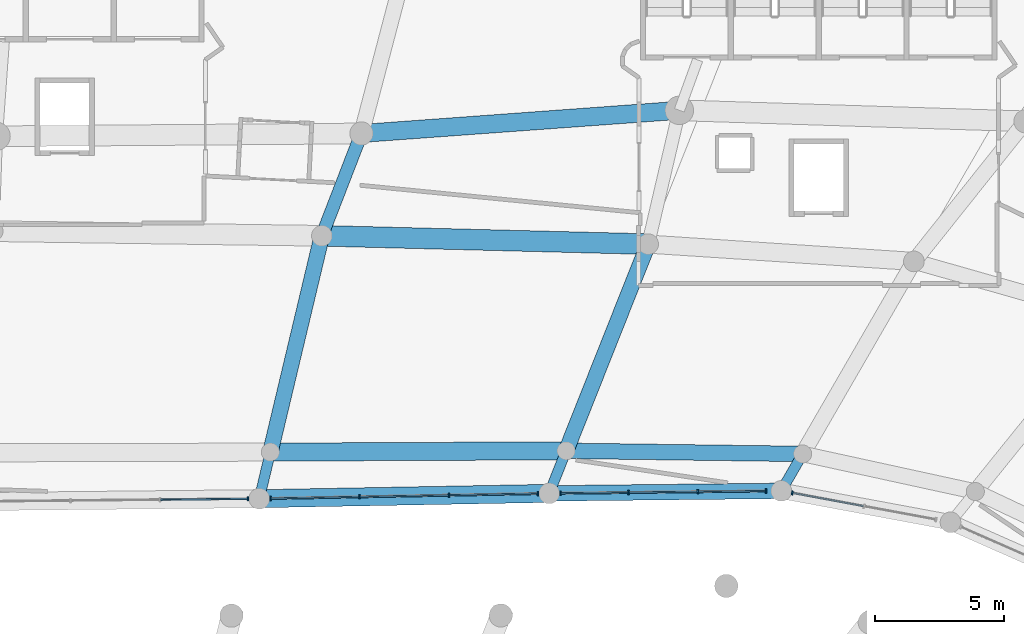
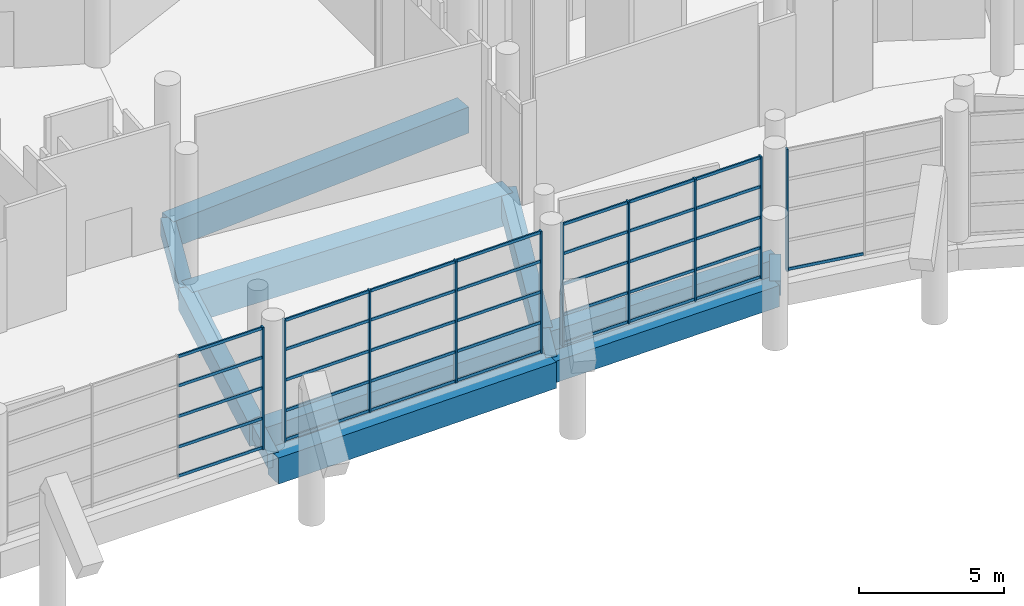
# One storey, part 103 of 271: 46 members, 12 beams, 4 elements without a shape of their own.
"""IFC4 building model written with IfcOpenShell, lengths in metres."""

from ifc_helpers import new_model, si_unit, direction, frame, origin, origin_2d, place, context, subcontext, project, spatial, rectangle, extrude, material, layer, layer_set, material_profile, profile_set, type_object, element, aggregate, save


model = new_model("IFC4")

# Units and contexts
model_context = context("Model", 3, precision=1e-05, world=origin(), true_north=direction((0.0, 1.0)))
body_context = subcontext(model_context, "Body", "Model", "MODEL_VIEW")
ifc_project = project(units=[si_unit("LENGTHUNIT", "METRE"), si_unit("AREAUNIT", "SQUARE_METRE"), si_unit("VOLUMEUNIT", "CUBIC_METRE"), si_unit("PLANEANGLEUNIT", "RADIAN"), si_unit("MASSUNIT", "GRAM", prefix="KILO")], contexts=[model_context])

# Site, building, storey
site_placement = place(None, origin())
site = spatial("IfcSite", under=ifc_project, at=site_placement, CompositionType="ELEMENT")
building_placement = place(site_placement, origin())
building = spatial("IfcBuilding", under=site, at=building_placement, Name="Meseta Stadium", CompositionType="ELEMENT")
storey_placement = place(building_placement, frame((0.0, 0.0, 6.5)))
storey = spatial("IfcBuildingStorey", under=building, at=storey_placement, Name="L01", CompositionType="ELEMENT", Elevation=6.5)

# Curtain wall, member
ifc_material_1 = material(Name="Aluminium", Category="aluminium")
ifc_layer = layer(ifc_material_1, 0.199951171875)
ifc_layer_set = layer_set([ifc_layer], Name="Club glazing curtain wall")
curtain_wall_type = type_object("IfcCurtainWallType", Name="Club glazing curtain wall", PredefinedType="NOTDEFINED", material=ifc_layer_set)
curtain_wall_1_placement = place(storey_placement, origin())
curtain_wall_1 = element("IfcCurtainWall", 1, at=curtain_wall_1_placement, inside=storey, type_object=curtain_wall_type, Name="Club glazing bay 14", PredefinedType="NOTDEFINED")
ifc_material_2 = material(Name="Aluminium", Category="aluminium")
ifc_material_profile_1 = material_profile(ifc_material_2, rectangle(XDim=0.159912109375, YDim=0.06005859375, at=origin_2d()), Name="CW 160x60")
ifc_profile_set_1 = profile_set([ifc_material_profile_1], Name="Aluminium")
member_type_1 = type_object("IfcMemberType", Name="CW mullion 60x160", PredefinedType="MULLION", material=ifc_profile_set_1)
member_1_placement = place(storey_placement, frame((37.308349609375, 75.75439453125, 0.0), z_axis=(0.0, 0.0, 1.0), x_axis=(-0.182600324962, -0.983187225977, 0.0)))
member_1 = element("IfcMember", 2, at=member_1_placement, type_object=member_type_1, Name="CWC mullion 3", PredefinedType="MULLION", context=body_context, shape_type="SweptSolid", body=[
    extrude(rectangle(XDim=0.159912109375, YDim=0.06005859375, at=origin_2d()), origin(), (0.0, 0.0, 1.0), 5.14990234375),
])

# Curtain wall, members
curtain_wall_2_placement = place(storey_placement, origin())
curtain_wall_2 = element("IfcCurtainWall", 3, at=curtain_wall_2_placement, inside=storey, type_object=curtain_wall_type, Name="Club glazing bay 15", PredefinedType="NOTDEFINED")
member_2_placement = place(storey_placement, frame((36.29931640625, 75.82666015625, 0.0), z_axis=(0.0, 0.0, 1.0), x_axis=(0.010842515481, -0.999941218201, 0.0)))
member_2 = element("IfcMember", 4, at=member_2_placement, type_object=member_type_1, Name="CWC mullion 1", PredefinedType="MULLION", context=body_context, shape_type="SweptSolid", body=[
    extrude(rectangle(XDim=0.159912109375, YDim=0.06005859375, at=origin_2d()), origin(), (0.0, 0.0, 1.0), 5.14990234375),
])
member_3_placement = place(storey_placement, frame((33.656494140625, 75.7978515625, 0.0), z_axis=(0.0, 0.0, 1.0), x_axis=(0.010842515481, -0.999941218201, 0.0)))
member_3 = element("IfcMember", 5, at=member_3_placement, type_object=member_type_1, Name="CWC mullion 2", PredefinedType="MULLION", context=body_context, shape_type="SweptSolid", body=[
    extrude(rectangle(XDim=0.159912109375, YDim=0.06005859375, at=origin_2d()), origin(), (0.0, 0.0, 1.0), 5.14990234375),
])
member_4_placement = place(storey_placement, frame((30.983642578125, 75.76904296875, 0.0), z_axis=(0.0, 0.0, 1.0), x_axis=(0.010842515481, -0.999941218201, 0.0)))
member_4 = element("IfcMember", 6, at=member_4_placement, type_object=member_type_1, Name="CWC mullion 3", PredefinedType="MULLION", context=body_context, shape_type="SweptSolid", body=[
    extrude(rectangle(XDim=0.159912109375, YDim=0.06005859375, at=origin_2d()), origin(), (0.0, 0.0, 1.0), 5.14990234375),
])
member_5_placement = place(storey_placement, frame((28.3408203125, 75.740234375, 0.0), z_axis=(0.0, 0.0, 1.0), x_axis=(0.010842515481, -0.999941218201, 0.0)))
member_5 = element("IfcMember", 7, at=member_5_placement, type_object=member_type_1, Name="CWC mullion 4", PredefinedType="MULLION", context=body_context, shape_type="SweptSolid", body=[
    extrude(rectangle(XDim=0.159912109375, YDim=0.06005859375, at=origin_2d()), origin(), (0.0, 0.0, 1.0), 5.14990234375),
])

curtain_wall_3_placement = place(storey_placement, origin())
curtain_wall_3 = element("IfcCurtainWall", 8, at=curtain_wall_3_placement, inside=storey, type_object=curtain_wall_type, Name="Club glazing bay 16", PredefinedType="NOTDEFINED")
member_6_placement = place(storey_placement, frame((27.4814453125, 75.727783203125, 0.0), z_axis=(0.0, 0.0, 1.0), x_axis=(0.018383858671, -0.99983100259, 0.0)))
member_6 = element("IfcMember", 9, at=member_6_placement, type_object=member_type_1, Name="CWC mullion 1", PredefinedType="MULLION", context=body_context, shape_type="SweptSolid", body=[
    extrude(rectangle(XDim=0.159912109375, YDim=0.06005859375, at=origin_2d()), origin(), (0.0, 0.0, 1.0), 5.14990234375),
])
member_7_placement = place(storey_placement, frame((24.0400390625, 75.66455078125, 0.0), z_axis=(0.0, 0.0, 1.0), x_axis=(0.018383858671, -0.99983100259, 0.0)))
member_7 = element("IfcMember", 10, at=member_7_placement, type_object=member_type_1, Name="CWC mullion 2", PredefinedType="MULLION", context=body_context, shape_type="SweptSolid", body=[
    extrude(rectangle(XDim=0.159912109375, YDim=0.06005859375, at=origin_2d()), origin(), (0.0, 0.0, 1.0), 5.14990234375),
])
member_8_placement = place(storey_placement, frame((20.568603515625, 75.6005859375, 0.0), z_axis=(0.0, 0.0, 1.0), x_axis=(0.018383858671, -0.99983100259, 0.0)))
member_8 = element("IfcMember", 11, at=member_8_placement, type_object=member_type_1, Name="CWC mullion 3", PredefinedType="MULLION", context=body_context, shape_type="SweptSolid", body=[
    extrude(rectangle(XDim=0.159912109375, YDim=0.06005859375, at=origin_2d()), origin(), (0.0, 0.0, 1.0), 5.14990234375),
])
member_9_placement = place(storey_placement, frame((17.127197265625, 75.537353515625, 0.0), z_axis=(0.0, 0.0, 1.0), x_axis=(0.018383858671, -0.99983100259, 0.0)))
member_9 = element("IfcMember", 12, at=member_9_placement, type_object=member_type_1, Name="CWC mullion 4", PredefinedType="MULLION", context=body_context, shape_type="SweptSolid", body=[
    extrude(rectangle(XDim=0.159912109375, YDim=0.06005859375, at=origin_2d()), origin(), (0.0, 0.0, 1.0), 5.14990234375),
])

# Curtain wall, member
curtain_wall_4_placement = place(storey_placement, origin())
curtain_wall_4 = element("IfcCurtainWall", 13, at=curtain_wall_4_placement, inside=storey, type_object=curtain_wall_type, Name="Club glazing bay 17", PredefinedType="NOTDEFINED")
member_10_placement = place(storey_placement, frame((16.267578125, 75.52490234375, 0.0), z_axis=(0.0, 0.0, 1.0), x_axis=(0.010278991253, -0.999947169774, 0.0)))
member_10 = element("IfcMember", 14, at=member_10_placement, type_object=member_type_1, Name="CWC mullion 1", PredefinedType="MULLION", context=body_context, shape_type="SweptSolid", body=[
    extrude(rectangle(XDim=0.159912109375, YDim=0.06005859375, at=origin_2d()), origin(), (0.0, 0.0, 1.0), 5.14990234375),
])

# Member
ifc_material_3 = material(Name="Aluminium", Category="aluminium")
ifc_material_profile_2 = material_profile(ifc_material_3, rectangle(XDim=0.06005859375, YDim=0.1201171875, at=origin_2d()), Name="CW 60x120")
ifc_profile_set_2 = profile_set([ifc_material_profile_2], Name="Aluminium")
member_type_2 = type_object("IfcMemberType", Name="CW transom 60x120", PredefinedType="USERDEFINED", material=ifc_profile_set_2)
member_11_placement = place(storey_placement, frame((40.0576171875, 75.243896484375, 0.06005859375), z_axis=(-0.983186472546, 0.182604381661, 0.0), x_axis=(-0.182604381661, -0.983186472546, 0.0)))
member_11 = element("IfcMember", 15, at=member_11_placement, type_object=member_type_2, Name="CWC transom 2.1", ObjectType="TRANSOM", PredefinedType="USERDEFINED", context=body_context, shape_type="SweptSolid", body=[
    extrude(rectangle(XDim=0.06005859375, YDim=0.1201171875, at=origin_2d()), origin(), (0.0, 0.0, 1.0), 2.766357421875),
])

aggregate(curtain_wall_1, [member_1, member_11])

member_12_placement = place(storey_placement, frame((36.269287109375, 75.826171875, 0.06005859375), z_axis=(-0.999941943259, -0.010775440167, 0.0), x_axis=(0.010775440167, -0.999941943259, 0.0)))
member_12 = element("IfcMember", 16, at=member_12_placement, type_object=member_type_2, Name="CWC transom 1.1", ObjectType="TRANSOM", PredefinedType="USERDEFINED", context=body_context, shape_type="SweptSolid", body=[
    extrude(rectangle(XDim=0.06005859375, YDim=0.1201171875, at=origin_2d()), origin(), (0.0, 0.0, 1.0), 2.5830078125),
])

member_13_placement = place(storey_placement, frame((36.269287109375, 75.826171875, 1.28759765625), z_axis=(-0.999941943259, -0.010775440167, 0.0), x_axis=(0.010775440167, -0.999941943259, 0.0)))
member_13 = element("IfcMember", 17, at=member_13_placement, type_object=member_type_2, Name="CWC transom 1.2", ObjectType="TRANSOM", PredefinedType="USERDEFINED", context=body_context, shape_type="SweptSolid", body=[
    extrude(rectangle(XDim=0.06005859375, YDim=0.1201171875, at=origin_2d()), origin(), (0.0, 0.0, 1.0), 2.5830078125),
])

member_14_placement = place(storey_placement, frame((36.269287109375, 75.826171875, 2.574951171875), z_axis=(-0.999941943259, -0.010775440167, 0.0), x_axis=(0.010775440167, -0.999941943259, 0.0)))
member_14 = element("IfcMember", 18, at=member_14_placement, type_object=member_type_2, Name="CWC transom 1.3", ObjectType="TRANSOM", PredefinedType="USERDEFINED", context=body_context, shape_type="SweptSolid", body=[
    extrude(rectangle(XDim=0.06005859375, YDim=0.1201171875, at=origin_2d()), origin(), (0.0, 0.0, 1.0), 2.5830078125),
])

member_15_placement = place(storey_placement, frame((36.269287109375, 75.826171875, 3.862548828125), z_axis=(-0.999941943259, -0.010775440167, 0.0), x_axis=(0.010775440167, -0.999941943259, 0.0)))
member_15 = element("IfcMember", 19, at=member_15_placement, type_object=member_type_2, Name="CWC transom 1.4", ObjectType="TRANSOM", PredefinedType="USERDEFINED", context=body_context, shape_type="SweptSolid", body=[
    extrude(rectangle(XDim=0.06005859375, YDim=0.1201171875, at=origin_2d()), origin(), (0.0, 0.0, 1.0), 2.5830078125),
])

member_16_placement = place(storey_placement, frame((36.269287109375, 75.826171875, 5.090087890625), z_axis=(-0.999941943259, -0.010775440167, 0.0), x_axis=(0.010775440167, -0.999941943259, 0.0)))
member_16 = element("IfcMember", 20, at=member_16_placement, type_object=member_type_2, Name="CWC transom 1.5", ObjectType="TRANSOM", PredefinedType="USERDEFINED", context=body_context, shape_type="SweptSolid", body=[
    extrude(rectangle(XDim=0.06005859375, YDim=0.1201171875, at=origin_2d()), origin(), (0.0, 0.0, 1.0), 2.5830078125),
])

member_17_placement = place(storey_placement, frame((33.62646484375, 75.797607421875, 0.06005859375), z_axis=(-0.99994126218, -0.010838458831, 0.0), x_axis=(0.010838458831, -0.99994126218, 0.0)))
member_17 = element("IfcMember", 21, at=member_17_placement, type_object=member_type_2, Name="CWC transom 2.1", ObjectType="TRANSOM", PredefinedType="USERDEFINED", context=body_context, shape_type="SweptSolid", body=[
    extrude(rectangle(XDim=0.06005859375, YDim=0.1201171875, at=origin_2d()), origin(), (0.0, 0.0, 1.0), 2.613037109375),
])

member_18_placement = place(storey_placement, frame((33.62646484375, 75.797607421875, 1.28759765625), z_axis=(-0.99994126218, -0.010838458831, 0.0), x_axis=(0.010838458831, -0.99994126218, 0.0)))
member_18 = element("IfcMember", 22, at=member_18_placement, type_object=member_type_2, Name="CWC transom 2.2", ObjectType="TRANSOM", PredefinedType="USERDEFINED", context=body_context, shape_type="SweptSolid", body=[
    extrude(rectangle(XDim=0.06005859375, YDim=0.1201171875, at=origin_2d()), origin(), (0.0, 0.0, 1.0), 2.613037109375),
])

member_19_placement = place(storey_placement, frame((33.62646484375, 75.797607421875, 2.574951171875), z_axis=(-0.99994126218, -0.010838458831, 0.0), x_axis=(0.010838458831, -0.99994126218, 0.0)))
member_19 = element("IfcMember", 23, at=member_19_placement, type_object=member_type_2, Name="CWC transom 2.3", ObjectType="TRANSOM", PredefinedType="USERDEFINED", context=body_context, shape_type="SweptSolid", body=[
    extrude(rectangle(XDim=0.06005859375, YDim=0.1201171875, at=origin_2d()), origin(), (0.0, 0.0, 1.0), 2.613037109375),
])

member_20_placement = place(storey_placement, frame((33.62646484375, 75.797607421875, 3.862548828125), z_axis=(-0.99994126218, -0.010838458831, 0.0), x_axis=(0.010838458831, -0.99994126218, 0.0)))
member_20 = element("IfcMember", 24, at=member_20_placement, type_object=member_type_2, Name="CWC transom 2.4", ObjectType="TRANSOM", PredefinedType="USERDEFINED", context=body_context, shape_type="SweptSolid", body=[
    extrude(rectangle(XDim=0.06005859375, YDim=0.1201171875, at=origin_2d()), origin(), (0.0, 0.0, 1.0), 2.613037109375),
])

member_21_placement = place(storey_placement, frame((33.62646484375, 75.797607421875, 5.090087890625), z_axis=(-0.99994126218, -0.010838458831, 0.0), x_axis=(0.010838458831, -0.99994126218, 0.0)))
member_21 = element("IfcMember", 25, at=member_21_placement, type_object=member_type_2, Name="CWC transom 2.5", ObjectType="TRANSOM", PredefinedType="USERDEFINED", context=body_context, shape_type="SweptSolid", body=[
    extrude(rectangle(XDim=0.06005859375, YDim=0.1201171875, at=origin_2d()), origin(), (0.0, 0.0, 1.0), 2.613037109375),
])

member_22_placement = place(storey_placement, frame((30.95361328125, 75.7685546875, 0.06005859375), z_axis=(-0.999941943259, -0.010775440167, 0.0), x_axis=(0.010775440167, -0.999941943259, 0.0)))
member_22 = element("IfcMember", 26, at=member_22_placement, type_object=member_type_2, Name="CWC transom 3.1", ObjectType="TRANSOM", PredefinedType="USERDEFINED", context=body_context, shape_type="SweptSolid", body=[
    extrude(rectangle(XDim=0.06005859375, YDim=0.1201171875, at=origin_2d()), origin(), (0.0, 0.0, 1.0), 2.5830078125),
])

member_23_placement = place(storey_placement, frame((30.95361328125, 75.7685546875, 1.28759765625), z_axis=(-0.999941943259, -0.010775440167, 0.0), x_axis=(0.010775440167, -0.999941943259, 0.0)))
member_23 = element("IfcMember", 27, at=member_23_placement, type_object=member_type_2, Name="CWC transom 3.2", ObjectType="TRANSOM", PredefinedType="USERDEFINED", context=body_context, shape_type="SweptSolid", body=[
    extrude(rectangle(XDim=0.06005859375, YDim=0.1201171875, at=origin_2d()), origin(), (0.0, 0.0, 1.0), 2.5830078125),
])

member_24_placement = place(storey_placement, frame((30.95361328125, 75.7685546875, 2.574951171875), z_axis=(-0.999941943259, -0.010775440167, 0.0), x_axis=(0.010775440167, -0.999941943259, 0.0)))
member_24 = element("IfcMember", 28, at=member_24_placement, type_object=member_type_2, Name="CWC transom 3.3", ObjectType="TRANSOM", PredefinedType="USERDEFINED", context=body_context, shape_type="SweptSolid", body=[
    extrude(rectangle(XDim=0.06005859375, YDim=0.1201171875, at=origin_2d()), origin(), (0.0, 0.0, 1.0), 2.5830078125),
])

member_25_placement = place(storey_placement, frame((30.95361328125, 75.7685546875, 3.862548828125), z_axis=(-0.999941943259, -0.010775440167, 0.0), x_axis=(0.010775440167, -0.999941943259, 0.0)))
member_25 = element("IfcMember", 29, at=member_25_placement, type_object=member_type_2, Name="CWC transom 3.4", ObjectType="TRANSOM", PredefinedType="USERDEFINED", context=body_context, shape_type="SweptSolid", body=[
    extrude(rectangle(XDim=0.06005859375, YDim=0.1201171875, at=origin_2d()), origin(), (0.0, 0.0, 1.0), 2.5830078125),
])

member_26_placement = place(storey_placement, frame((30.95361328125, 75.7685546875, 5.090087890625), z_axis=(-0.999941943259, -0.010775440167, 0.0), x_axis=(0.010775440167, -0.999941943259, 0.0)))
member_26 = element("IfcMember", 30, at=member_26_placement, type_object=member_type_2, Name="CWC transom 3.5", ObjectType="TRANSOM", PredefinedType="USERDEFINED", context=body_context, shape_type="SweptSolid", body=[
    extrude(rectangle(XDim=0.06005859375, YDim=0.1201171875, at=origin_2d()), origin(), (0.0, 0.0, 1.0), 2.5830078125),
])

aggregate(curtain_wall_2, [member_2, member_3, member_4, member_5, member_12, member_13, member_14, member_15, member_16, member_17, member_18, member_19, member_20, member_21, member_22, member_23, member_24, member_25, member_26])

member_27_placement = place(storey_placement, frame((27.451416015625, 75.727294921875, 0.06005859375), z_axis=(-0.99983057491, -0.018407103935, 0.0), x_axis=(0.018407103935, -0.99983057491, 0.0)))
member_27 = element("IfcMember", 31, at=member_27_placement, type_object=member_type_2, Name="CWC transom 1.1", ObjectType="TRANSOM", PredefinedType="USERDEFINED", context=body_context, shape_type="SweptSolid", body=[
    extrude(rectangle(XDim=0.06005859375, YDim=0.1201171875, at=origin_2d()), origin(), (0.0, 0.0, 1.0), 3.382080078125),
])

member_28_placement = place(storey_placement, frame((27.451416015625, 75.727294921875, 1.28759765625), z_axis=(-0.99983057491, -0.018407103935, 0.0), x_axis=(0.018407103935, -0.99983057491, 0.0)))
member_28 = element("IfcMember", 32, at=member_28_placement, type_object=member_type_2, Name="CWC transom 1.2", ObjectType="TRANSOM", PredefinedType="USERDEFINED", context=body_context, shape_type="SweptSolid", body=[
    extrude(rectangle(XDim=0.06005859375, YDim=0.1201171875, at=origin_2d()), origin(), (0.0, 0.0, 1.0), 3.382080078125),
])

member_29_placement = place(storey_placement, frame((27.451416015625, 75.727294921875, 2.574951171875), z_axis=(-0.99983057491, -0.018407103935, 0.0), x_axis=(0.018407103935, -0.99983057491, 0.0)))
member_29 = element("IfcMember", 33, at=member_29_placement, type_object=member_type_2, Name="CWC transom 1.3", ObjectType="TRANSOM", PredefinedType="USERDEFINED", context=body_context, shape_type="SweptSolid", body=[
    extrude(rectangle(XDim=0.06005859375, YDim=0.1201171875, at=origin_2d()), origin(), (0.0, 0.0, 1.0), 3.382080078125),
])

member_30_placement = place(storey_placement, frame((27.451416015625, 75.727294921875, 3.862548828125), z_axis=(-0.99983057491, -0.018407103935, 0.0), x_axis=(0.018407103935, -0.99983057491, 0.0)))
member_30 = element("IfcMember", 34, at=member_30_placement, type_object=member_type_2, Name="CWC transom 1.4", ObjectType="TRANSOM", PredefinedType="USERDEFINED", context=body_context, shape_type="SweptSolid", body=[
    extrude(rectangle(XDim=0.06005859375, YDim=0.1201171875, at=origin_2d()), origin(), (0.0, 0.0, 1.0), 3.382080078125),
])

member_31_placement = place(storey_placement, frame((27.451416015625, 75.727294921875, 5.090087890625), z_axis=(-0.99983057491, -0.018407103935, 0.0), x_axis=(0.018407103935, -0.99983057491, 0.0)))
member_31 = element("IfcMember", 35, at=member_31_placement, type_object=member_type_2, Name="CWC transom 1.5", ObjectType="TRANSOM", PredefinedType="USERDEFINED", context=body_context, shape_type="SweptSolid", body=[
    extrude(rectangle(XDim=0.06005859375, YDim=0.1201171875, at=origin_2d()), origin(), (0.0, 0.0, 1.0), 3.382080078125),
])

member_32_placement = place(storey_placement, frame((24.010009765625, 75.663818359375, 0.06005859375), z_axis=(-0.999830898772, -0.018389504114, 0.0), x_axis=(0.018389504114, -0.999830898772, 0.0)))
member_32 = element("IfcMember", 36, at=member_32_placement, type_object=member_type_2, Name="CWC transom 2.1", ObjectType="TRANSOM", PredefinedType="USERDEFINED", context=body_context, shape_type="SweptSolid", body=[
    extrude(rectangle(XDim=0.06005859375, YDim=0.1201171875, at=origin_2d()), origin(), (0.0, 0.0, 1.0), 3.411865234375),
])

member_33_placement = place(storey_placement, frame((24.010009765625, 75.663818359375, 1.28759765625), z_axis=(-0.999830898772, -0.018389504114, 0.0), x_axis=(0.018389504114, -0.999830898772, 0.0)))
member_33 = element("IfcMember", 37, at=member_33_placement, type_object=member_type_2, Name="CWC transom 2.2", ObjectType="TRANSOM", PredefinedType="USERDEFINED", context=body_context, shape_type="SweptSolid", body=[
    extrude(rectangle(XDim=0.06005859375, YDim=0.1201171875, at=origin_2d()), origin(), (0.0, 0.0, 1.0), 3.411865234375),
])

member_34_placement = place(storey_placement, frame((24.010009765625, 75.663818359375, 2.574951171875), z_axis=(-0.999830898772, -0.018389504114, 0.0), x_axis=(0.018389504114, -0.999830898772, 0.0)))
member_34 = element("IfcMember", 38, at=member_34_placement, type_object=member_type_2, Name="CWC transom 2.3", ObjectType="TRANSOM", PredefinedType="USERDEFINED", context=body_context, shape_type="SweptSolid", body=[
    extrude(rectangle(XDim=0.06005859375, YDim=0.1201171875, at=origin_2d()), origin(), (0.0, 0.0, 1.0), 3.411865234375),
])

member_35_placement = place(storey_placement, frame((24.010009765625, 75.663818359375, 3.862548828125), z_axis=(-0.999830898772, -0.018389504114, 0.0), x_axis=(0.018389504114, -0.999830898772, 0.0)))
member_35 = element("IfcMember", 39, at=member_35_placement, type_object=member_type_2, Name="CWC transom 2.4", ObjectType="TRANSOM", PredefinedType="USERDEFINED", context=body_context, shape_type="SweptSolid", body=[
    extrude(rectangle(XDim=0.06005859375, YDim=0.1201171875, at=origin_2d()), origin(), (0.0, 0.0, 1.0), 3.411865234375),
])

member_36_placement = place(storey_placement, frame((24.010009765625, 75.663818359375, 5.090087890625), z_axis=(-0.999830898772, -0.018389504114, 0.0), x_axis=(0.018389504114, -0.999830898772, 0.0)))
member_36 = element("IfcMember", 40, at=member_36_placement, type_object=member_type_2, Name="CWC transom 2.5", ObjectType="TRANSOM", PredefinedType="USERDEFINED", context=body_context, shape_type="SweptSolid", body=[
    extrude(rectangle(XDim=0.06005859375, YDim=0.1201171875, at=origin_2d()), origin(), (0.0, 0.0, 1.0), 3.411865234375),
])

member_37_placement = place(storey_placement, frame((20.53857421875, 75.60009765625, 0.06005859375), z_axis=(-0.99983055045, -0.018408432517, 0.0), x_axis=(0.018408432517, -0.99983055045, 0.0)))
member_37 = element("IfcMember", 41, at=member_37_placement, type_object=member_type_2, Name="CWC transom 3.1", ObjectType="TRANSOM", PredefinedType="USERDEFINED", context=body_context, shape_type="SweptSolid", body=[
    extrude(rectangle(XDim=0.06005859375, YDim=0.1201171875, at=origin_2d()), origin(), (0.0, 0.0, 1.0), 3.3818359375),
])

member_38_placement = place(storey_placement, frame((20.53857421875, 75.60009765625, 1.28759765625), z_axis=(-0.99983055045, -0.018408432517, 0.0), x_axis=(0.018408432517, -0.99983055045, 0.0)))
member_38 = element("IfcMember", 42, at=member_38_placement, type_object=member_type_2, Name="CWC transom 3.2", ObjectType="TRANSOM", PredefinedType="USERDEFINED", context=body_context, shape_type="SweptSolid", body=[
    extrude(rectangle(XDim=0.06005859375, YDim=0.1201171875, at=origin_2d()), origin(), (0.0, 0.0, 1.0), 3.3818359375),
])

member_39_placement = place(storey_placement, frame((20.53857421875, 75.60009765625, 2.574951171875), z_axis=(-0.99983055045, -0.018408432517, 0.0), x_axis=(0.018408432517, -0.99983055045, 0.0)))
member_39 = element("IfcMember", 43, at=member_39_placement, type_object=member_type_2, Name="CWC transom 3.3", ObjectType="TRANSOM", PredefinedType="USERDEFINED", context=body_context, shape_type="SweptSolid", body=[
    extrude(rectangle(XDim=0.06005859375, YDim=0.1201171875, at=origin_2d()), origin(), (0.0, 0.0, 1.0), 3.3818359375),
])

member_40_placement = place(storey_placement, frame((20.53857421875, 75.60009765625, 3.862548828125), z_axis=(-0.99983055045, -0.018408432517, 0.0), x_axis=(0.018408432517, -0.99983055045, 0.0)))
member_40 = element("IfcMember", 44, at=member_40_placement, type_object=member_type_2, Name="CWC transom 3.4", ObjectType="TRANSOM", PredefinedType="USERDEFINED", context=body_context, shape_type="SweptSolid", body=[
    extrude(rectangle(XDim=0.06005859375, YDim=0.1201171875, at=origin_2d()), origin(), (0.0, 0.0, 1.0), 3.3818359375),
])

member_41_placement = place(storey_placement, frame((20.53857421875, 75.60009765625, 5.090087890625), z_axis=(-0.99983055045, -0.018408432517, 0.0), x_axis=(0.018408432517, -0.99983055045, 0.0)))
member_41 = element("IfcMember", 45, at=member_41_placement, type_object=member_type_2, Name="CWC transom 3.5", ObjectType="TRANSOM", PredefinedType="USERDEFINED", context=body_context, shape_type="SweptSolid", body=[
    extrude(rectangle(XDim=0.06005859375, YDim=0.1201171875, at=origin_2d()), origin(), (0.0, 0.0, 1.0), 3.3818359375),
])

aggregate(curtain_wall_3, [member_6, member_7, member_8, member_9, member_27, member_28, member_29, member_30, member_31, member_32, member_33, member_34, member_35, member_36, member_37, member_38, member_39, member_40, member_41])

member_42_placement = place(storey_placement, frame((16.23779296875, 75.524658203125, 0.06005859375), z_axis=(-0.999947433941, -0.010253260722, 0.0), x_axis=(0.010253260722, -0.999947433941, 0.0)))
member_42 = element("IfcMember", 46, at=member_42_placement, type_object=member_type_2, Name="CWC transom 1.1", ObjectType="TRANSOM", PredefinedType="USERDEFINED", context=body_context, shape_type="SweptSolid", body=[
    extrude(rectangle(XDim=0.06005859375, YDim=0.1201171875, at=origin_2d()), origin(), (0.0, 0.0, 1.0), 3.357421875),
])

member_43_placement = place(storey_placement, frame((16.23779296875, 75.524658203125, 1.28759765625), z_axis=(-0.999947433941, -0.010253260722, 0.0), x_axis=(0.010253260722, -0.999947433941, 0.0)))
member_43 = element("IfcMember", 47, at=member_43_placement, type_object=member_type_2, Name="CWC transom 1.2", ObjectType="TRANSOM", PredefinedType="USERDEFINED", context=body_context, shape_type="SweptSolid", body=[
    extrude(rectangle(XDim=0.06005859375, YDim=0.1201171875, at=origin_2d()), origin(), (0.0, 0.0, 1.0), 3.357421875),
])

member_44_placement = place(storey_placement, frame((16.23779296875, 75.524658203125, 2.574951171875), z_axis=(-0.999947433941, -0.010253260722, 0.0), x_axis=(0.010253260722, -0.999947433941, 0.0)))
member_44 = element("IfcMember", 48, at=member_44_placement, type_object=member_type_2, Name="CWC transom 1.3", ObjectType="TRANSOM", PredefinedType="USERDEFINED", context=body_context, shape_type="SweptSolid", body=[
    extrude(rectangle(XDim=0.06005859375, YDim=0.1201171875, at=origin_2d()), origin(), (0.0, 0.0, 1.0), 3.357421875),
])

member_45_placement = place(storey_placement, frame((16.23779296875, 75.524658203125, 3.862548828125), z_axis=(-0.999947433941, -0.010253260722, 0.0), x_axis=(0.010253260722, -0.999947433941, 0.0)))
member_45 = element("IfcMember", 49, at=member_45_placement, type_object=member_type_2, Name="CWC transom 1.4", ObjectType="TRANSOM", PredefinedType="USERDEFINED", context=body_context, shape_type="SweptSolid", body=[
    extrude(rectangle(XDim=0.06005859375, YDim=0.1201171875, at=origin_2d()), origin(), (0.0, 0.0, 1.0), 3.357421875),
])

member_46_placement = place(storey_placement, frame((16.23779296875, 75.524658203125, 5.090087890625), z_axis=(-0.999947433941, -0.010253260722, 0.0), x_axis=(0.010253260722, -0.999947433941, 0.0)))
member_46 = element("IfcMember", 50, at=member_46_placement, type_object=member_type_2, Name="CWC transom 1.5", ObjectType="TRANSOM", PredefinedType="USERDEFINED", context=body_context, shape_type="SweptSolid", body=[
    extrude(rectangle(XDim=0.06005859375, YDim=0.1201171875, at=origin_2d()), origin(), (0.0, 0.0, 1.0), 3.357421875),
])

aggregate(curtain_wall_4, [member_10, member_42, member_43, member_44, member_45, member_46])

# Beams
ifc_material_4 = material(Name="Concrete C40/50", Category="concrete")
ifc_material_profile_3 = material_profile(ifc_material_4, rectangle(XDim=0.39990234375, YDim=0.60009765625, at=origin_2d()), Name="RC 400x600")
ifc_profile_set_3 = profile_set([ifc_material_profile_3], Name="Concrete C40/50")
beam_type_1 = type_object("IfcBeamType", Name="RC beam 400x600", PredefinedType="BEAM", material=ifc_profile_set_3)
beam_1_placement = place(storey_placement, frame((36.885986328125, 75.8330078125, -0.64990234375), z_axis=(0.500371262739, 0.865810949009, 0.0), x_axis=(-0.865810949009, 0.500371262739, 0.0)))
element("IfcBeam", 51, at=beam_1_placement, inside=storey, type_object=beam_type_1, Name="L01 radial beam frame 15 line C to D", PredefinedType="BEAM", context=body_context, shape_type="SweptSolid", body=[
    extrude(rectangle(XDim=0.39990234375, YDim=0.60009765625, at=origin_2d()), origin(), (0.0, 0.0, 1.0), 1.650146484375),
])
beam_2_placement = place(storey_placement, frame((27.910888671875, 75.735595703125, -0.64990234375), z_axis=(0.368824744702, 0.929498955188, 0.0), x_axis=(-0.929498955188, 0.368824744702, 0.0)))
element("IfcBeam", 52, at=beam_2_placement, inside=storey, type_object=beam_type_1, Name="L01 radial beam frame 16 line C to D", PredefinedType="BEAM", context=body_context, shape_type="SweptSolid", body=[
    extrude(rectangle(XDim=0.39990234375, YDim=0.60009765625, at=origin_2d()), origin(), (0.0, 0.0, 1.0), 1.772705078125),
])
beam_3_placement = place(storey_placement, frame((16.697509765625, 75.529296875, -0.64990234375), z_axis=(0.231608653228, 0.97280904177, 0.0), x_axis=(-0.97280904177, 0.231608653228, 0.0)))
element("IfcBeam", 53, at=beam_3_placement, inside=storey, type_object=beam_type_1, Name="L01 radial beam frame 17 line C to D", PredefinedType="BEAM", context=body_context, shape_type="SweptSolid", body=[
    extrude(rectangle(XDim=0.39990234375, YDim=0.60009765625, at=origin_2d()), origin(), (0.0, 0.0, 1.0), 1.85302734375),
])
ifc_material_5 = material(Name="Concrete C40/50", Category="concrete")
ifc_material_profile_4 = material_profile(ifc_material_5, rectangle(XDim=0.5, YDim=0.75, at=origin_2d()), Name="RC 500x750")
ifc_profile_set_4 = profile_set([ifc_material_profile_4], Name="Concrete C40/50")
beam_type_2 = type_object("IfcBeamType", Name="RC beam 500x750", PredefinedType="BEAM", material=ifc_profile_set_4)
beam_4_placement = place(storey_placement, frame((19.11865234375, 85.6982421875, -0.72509765625), z_axis=(0.360763299369, 0.932657408606, 0.0), x_axis=(-0.932657408606, 0.360763299369, 0.0)))
element("IfcBeam", 54, at=beam_4_placement, inside=storey, type_object=beam_type_2, Name="L01 radial beam frame 17 line E to P", PredefinedType="BEAM", context=body_context, shape_type="SweptSolid", body=[
    extrude(rectangle(XDim=0.5, YDim=0.75, at=origin_2d()), origin(), (0.0, 0.0, 1.0), 4.243896484375),
])
ifc_material_6 = material(Name="Concrete C40/50", Category="concrete")
ifc_material_profile_5 = material_profile(ifc_material_6, rectangle(XDim=0.60009765625, YDim=0.89990234375, at=origin_2d()), Name="RC 600x900")
ifc_profile_set_5 = profile_set([ifc_material_profile_5], Name="Concrete C40/50")
beam_type_3 = type_object("IfcBeamType", Name="RC beam 600x900", PredefinedType="BEAM", material=ifc_profile_set_5)
beam_5_placement = place(storey_placement, frame((36.885986328125, 75.8330078125, -0.800048828125), z_axis=(-0.9999411049, -0.010852959601, 0.0), x_axis=(0.010852959601, -0.9999411049, 0.0)))
element("IfcBeam", 55, at=beam_5_placement, inside=storey, type_object=beam_type_3, Name="L01 ring beam frame 15 line C", PredefinedType="BEAM", context=body_context, shape_type="SweptSolid", body=[
    extrude(rectangle(XDim=0.60009765625, YDim=0.89990234375, at=origin_2d()), origin(), (0.0, 0.0, 1.0), 8.9755859375),
])
beam_6_placement = place(storey_placement, frame((37.711669921875, 77.26171875, -0.800048828125), z_axis=(-0.999911672388, 0.013290877405, 0.0), x_axis=(-0.013290877405, -0.999911672388, 0.0)))
element("IfcBeam", 56, at=beam_6_placement, inside=storey, type_object=beam_type_3, Name="L01 ring beam frame 15 line D", PredefinedType="BEAM", context=body_context, shape_type="SweptSolid", body=[
    extrude(rectangle(XDim=0.60009765625, YDim=0.89990234375, at=origin_2d()), origin(), (0.0, 0.0, 1.0), 9.147705078125),
])
beam_7_placement = place(storey_placement, frame((28.564697265625, 77.38330078125, -0.800048828125), z_axis=(0.36885875695, 0.929485458424, 0.0), x_axis=(-0.929485458424, 0.36885875695, 0.0)))
element("IfcBeam", 57, at=beam_7_placement, inside=storey, type_object=beam_type_3, Name="L01 radial beam frame 16 line D to E", PredefinedType="BEAM", context=body_context, shape_type="SweptSolid", body=[
    extrude(rectangle(XDim=0.60009765625, YDim=0.89990234375, at=origin_2d()), origin(), (0.0, 0.0, 1.0), 8.599853515625),
])
beam_8_placement = place(storey_placement, frame((17.126708984375, 77.33203125, -0.800048828125), z_axis=(0.23161924801, 0.972806519279, 0.0), x_axis=(-0.972806519279, 0.23161924801, 0.0)))
element("IfcBeam", 58, at=beam_8_placement, inside=storey, type_object=beam_type_3, Name="L01 radial beam frame 17 line D to E", PredefinedType="BEAM", context=body_context, shape_type="SweptSolid", body=[
    extrude(rectangle(XDim=0.60009765625, YDim=0.89990234375, at=origin_2d()), origin(), (0.0, 0.0, 1.0), 8.60009765625),
])
ifc_material_7 = material(Name="Concrete C40/50", Category="concrete")
ifc_material_profile_6 = material_profile(ifc_material_7, rectangle(XDim=0.699951171875, YDim=1.10009765625, at=origin_2d()), Name="RC 700x1100")
ifc_profile_set_6 = profile_set([ifc_material_profile_6], Name="Concrete C40/50")
beam_type_4 = type_object("IfcBeamType", Name="RC beam 700x1100", PredefinedType="BEAM", material=ifc_profile_set_6)
beam_9_placement = place(storey_placement, frame((27.910888671875, 75.735595703125, -0.89990234375), z_axis=(-0.999830807814, -0.018394448783, 0.0), x_axis=(0.018394448783, -0.999830807814, 0.0)))
element("IfcBeam", 59, at=beam_9_placement, inside=storey, type_object=beam_type_4, Name="L01 ring beam frame 16 line C", PredefinedType="BEAM", context=body_context, shape_type="SweptSolid", body=[
    extrude(rectangle(XDim=0.699951171875, YDim=1.10009765625, at=origin_2d()), origin(), (0.0, 0.0, 1.0), 11.21533203125),
])
beam_10_placement = place(storey_placement, frame((28.564697265625, 77.38330078125, -0.89990234375), z_axis=(-0.999989954239, -0.004482345579, 0.0), x_axis=(0.004482345579, -0.999989954239, 0.0)))
element("IfcBeam", 60, at=beam_10_placement, inside=storey, type_object=beam_type_4, Name="L01 ring beam frame 16 line D", PredefinedType="BEAM", context=body_context, shape_type="SweptSolid", body=[
    extrude(rectangle(XDim=0.699951171875, YDim=1.10009765625, at=origin_2d()), origin(), (0.0, 0.0, 1.0), 11.43798828125),
])
beam_11_placement = place(storey_placement, frame((32.944091796875, 90.551025390625, -0.89990234375), z_axis=(-0.99736209032, -0.072586918881, 0.0), x_axis=(0.072586918881, -0.99736209032, 0.0)))
element("IfcBeam", 61, at=beam_11_placement, inside=storey, type_object=beam_type_4, Name="L01 ring beam frame 16 line P", PredefinedType="BEAM", context=body_context, shape_type="SweptSolid", body=[
    extrude(rectangle(XDim=0.699951171875, YDim=1.10009765625, at=origin_2d()), origin(), (0.0, 0.0, 1.0), 12.326904296875),
])
ifc_material_8 = material(Name="Concrete C40/50", Category="concrete")
ifc_material_profile_7 = material_profile(ifc_material_8, rectangle(XDim=0.800048828125, YDim=1.300048828125, at=origin_2d()), Name="RC 800x1300")
ifc_profile_set_7 = profile_set([ifc_material_profile_7], Name="Concrete C40/50")
beam_type_5 = type_object("IfcBeamType", Name="RC beam 800x1300", PredefinedType="BEAM", material=ifc_profile_set_7)
beam_12_placement = place(storey_placement, frame((31.73681640625, 85.376708984375, -1.0), z_axis=(-0.999675497622, 0.02547350496, 0.0), x_axis=(-0.02547350496, -0.999675497622, 0.0)))
element("IfcBeam", 62, at=beam_12_placement, inside=storey, type_object=beam_type_5, Name="L01 ring beam frame 16 line E", PredefinedType="BEAM", context=body_context, shape_type="SweptSolid", body=[
    extrude(rectangle(XDim=0.800048828125, YDim=1.300048828125, at=origin_2d()), origin(), (0.0, 0.0, 1.0), 12.622314453125),
])

save(model, "model.ifc")
